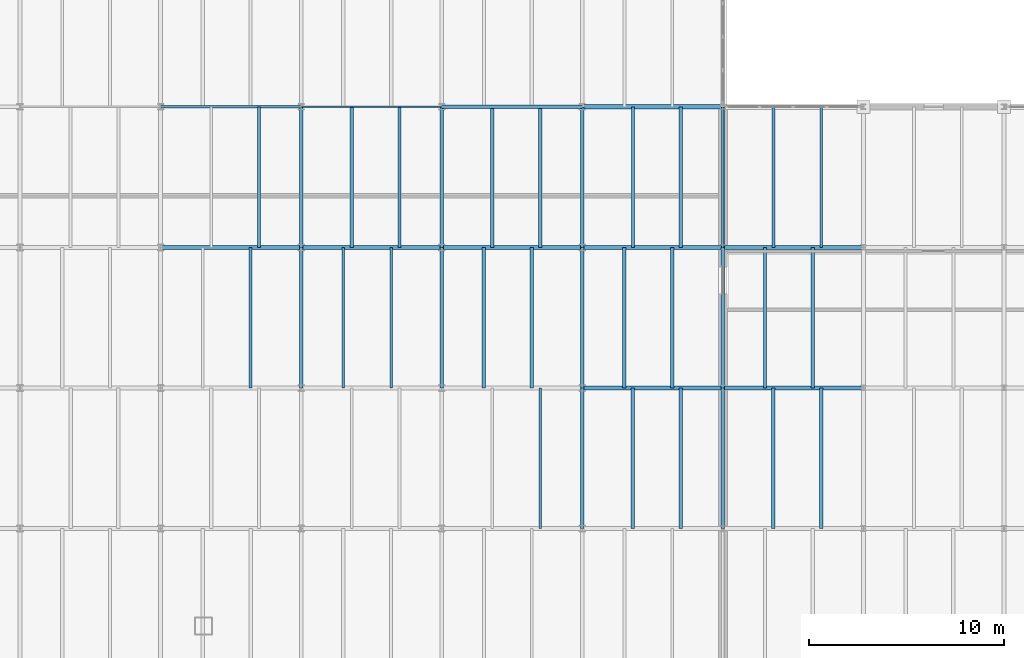
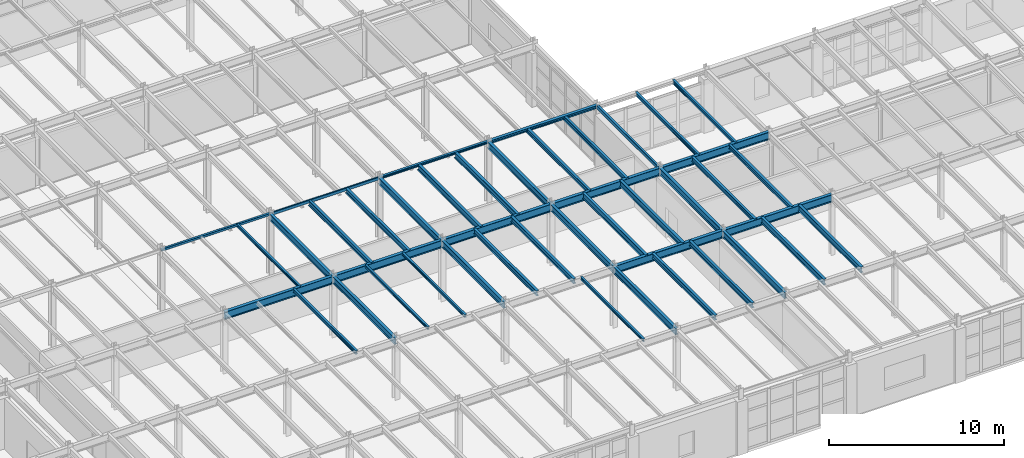
# One storey, part 30 of 137: 44 beams.
"""IFC4 building model written with IfcOpenShell, lengths in metres."""

from ifc_helpers import new_model, si_unit, direction, frame, origin, origin_2d, place, context, subcontext, project, spatial, hollow_rectangle, i_section, extrude, material, material_profile, profile_set, type_object, element, save


model = new_model("IFC4")

# Units and contexts
model_context = context("Model", 3, precision=1e-05, world=origin(), true_north=direction((0.0, 1.0)))
body_context = subcontext(model_context, "Body", "Model", "MODEL_VIEW")
ifc_project = project(units=[si_unit("LENGTHUNIT", "METRE"), si_unit("AREAUNIT", "SQUARE_METRE"), si_unit("VOLUMEUNIT", "CUBIC_METRE"), si_unit("PLANEANGLEUNIT", "RADIAN"), si_unit("MASSUNIT", "GRAM", prefix="KILO")], contexts=[model_context])

# Site, building, storey
site_placement = place(None, origin())
site = spatial("IfcSite", under=ifc_project, at=site_placement, CompositionType="ELEMENT")
building_placement = place(site_placement, origin())
building = spatial("IfcBuilding", under=site, at=building_placement, Name="Kemerveld Promenade Tramway Depot", CompositionType="ELEMENT")
storey_placement = place(building_placement, frame((0.0, 0.0, 5.39990234375)))
storey = spatial("IfcBuildingStorey", under=building, at=storey_placement, Name="L01", CompositionType="ELEMENT", Elevation=5.39990234375)

# Beams
ifc_material = material(Name="Steel S355", Category="steel")
ifc_material_profile_1 = material_profile(ifc_material, i_section(OverallWidth=0.2099609375, OverallDepth=0.53662109375, WebThickness=0.0107421875, FlangeThickness=0.017333984375, FilletRadius=0.0126953125, at=origin_2d()), Name="533x210x101 UB")
ifc_profile_set_1 = profile_set([ifc_material_profile_1], Name="Steel S355")
beam_type_1 = type_object("IfcBeamType", Name="BM-G05", PredefinedType="BEAM", material=ifc_profile_set_1)
beam_1_placement = place(storey_placement, frame((50.39990234375, 14.39990234375, 3.99169921875), z_axis=(1.0, 0.0, 0.0), x_axis=(0.0, 1.0, 0.0)))
element("IfcBeam", 1, at=beam_1_placement, inside=storey, type_object=beam_type_1, Name="BMX-L01-08-09-C", PredefinedType="BEAM", context=body_context, shape_type="SweptSolid", body=[
    extrude(i_section(OverallWidth=0.2099609375, OverallDepth=0.53662109375, WebThickness=0.0107421875, FlangeThickness=0.017333984375, FilletRadius=0.0126953125, at=origin_2d()), origin(), (0.0, 0.0, 1.0), 7.2001953125),
])
for number, where, z_axis, x_axis, name in (
    (2, (57.60009765625, 14.39990234375, 3.981689453125), (1.0, 0.0, 0.0), (0.0, 1.0, 0.0), "BMX-L01-09-10-C"),
    (3, (28.800048828125, 21.60009765625, 3.99169921875), (1.0, 0.0, 0.0), (0.0, 1.0, 0.0), "BMX-L01-05-06-D"),
    (4, (36.0, 21.60009765625, 3.99169921875), (1.0, 0.0, 0.0), (0.0, 1.0, 0.0), "BMX-L01-06-07-D"),
    (5, (43.199951171875, 21.60009765625, 3.99169921875), (1.0, 0.0, 0.0), (0.0, 1.0, 0.0), "BMX-L01-07-08-D"),
):
    element("IfcBeam", number, at=place(storey_placement, frame(where, z_axis=z_axis, x_axis=x_axis)), inside=storey, type_object=beam_type_1, Name=name, PredefinedType="BEAM", context=body_context, shape_type="SweptSolid", body=[
        extrude(i_section(OverallWidth=0.2099609375, OverallDepth=0.53662109375, WebThickness=0.0107421875, FlangeThickness=0.017333984375, FilletRadius=0.0126953125, at=origin_2d()), origin(), (0.0, 0.0, 1.0), 7.199951171875),
    ])
beam_2_placement = place(storey_placement, frame((50.39990234375, 21.60009765625, 3.99169921875), z_axis=(1.0, 0.0, 0.0), x_axis=(0.0, 1.0, 0.0)))
element("IfcBeam", 6, at=beam_2_placement, inside=storey, type_object=beam_type_1, Name="BMX-L01-08-09-D", PredefinedType="BEAM", context=body_context, shape_type="SweptSolid", body=[
    extrude(i_section(OverallWidth=0.2099609375, OverallDepth=0.53662109375, WebThickness=0.0107421875, FlangeThickness=0.017333984375, FilletRadius=0.0126953125, at=origin_2d()), origin(), (0.0, 0.0, 1.0), 7.2001953125),
])
beam_3_placement = place(storey_placement, frame((57.60009765625, 21.60009765625, 3.981689453125), z_axis=(1.0, 0.0, 0.0), x_axis=(0.0, 1.0, 0.0)))
element("IfcBeam", 7, at=beam_3_placement, inside=storey, type_object=beam_type_1, Name="BMX-L01-09-10-D", PredefinedType="BEAM", context=body_context, shape_type="SweptSolid", body=[
    extrude(i_section(OverallWidth=0.2099609375, OverallDepth=0.53662109375, WebThickness=0.0107421875, FlangeThickness=0.017333984375, FilletRadius=0.0126953125, at=origin_2d()), origin(), (0.0, 0.0, 1.0), 7.199951171875),
])
ifc_material_profile_2 = material_profile(ifc_material, i_section(OverallWidth=0.19140625, OverallDepth=0.4599609375, WebThickness=0.010009765625, FlangeThickness=0.01611328125, FilletRadius=0.01025390625, at=origin_2d()), Name="457x191x82 UB")
ifc_profile_set_2 = profile_set([ifc_material_profile_2], Name="Steel S355")
beam_type_2 = type_object("IfcBeamType", Name="BM-G06", PredefinedType="BEAM", material=ifc_profile_set_2)
beam_4_placement = place(storey_placement, frame((36.0, 14.39990234375, 4.030029296875), z_axis=(0.0, 1.0, 0.0), x_axis=(-1.0, 0.0, 0.0)))
element("IfcBeam", 8, at=beam_4_placement, inside=storey, type_object=beam_type_2, Name="BMY-L01-06-C-D", PredefinedType="BEAM", context=body_context, shape_type="SweptSolid", body=[
    extrude(i_section(OverallWidth=0.19140625, OverallDepth=0.4599609375, WebThickness=0.010009765625, FlangeThickness=0.01611328125, FilletRadius=0.01025390625, at=origin_2d()), origin(), (0.0, 0.0, 1.0), 7.2001953125),
])
beam_5_placement = place(storey_placement, frame((36.0, 21.60009765625, 4.030029296875), z_axis=(0.0, 1.0, 0.0), x_axis=(-1.0, 0.0, 0.0)))
element("IfcBeam", 9, at=beam_5_placement, inside=storey, type_object=beam_type_2, Name="BMY-L01-06-D-E", PredefinedType="BEAM", context=body_context, shape_type="SweptSolid", body=[
    extrude(i_section(OverallWidth=0.19140625, OverallDepth=0.4599609375, WebThickness=0.010009765625, FlangeThickness=0.01611328125, FilletRadius=0.01025390625, at=origin_2d()), origin(), (0.0, 0.0, 1.0), 7.199951171875),
])
beam_6_placement = place(storey_placement, frame((43.199951171875, 14.39990234375, 4.030029296875), z_axis=(0.0, 1.0, 0.0), x_axis=(-1.0, 0.0, 0.0)))
element("IfcBeam", 10, at=beam_6_placement, inside=storey, type_object=beam_type_2, Name="BMY-L01-07-C-D", PredefinedType="BEAM", context=body_context, shape_type="SweptSolid", body=[
    extrude(i_section(OverallWidth=0.19140625, OverallDepth=0.4599609375, WebThickness=0.010009765625, FlangeThickness=0.01611328125, FilletRadius=0.01025390625, at=origin_2d()), origin(), (0.0, 0.0, 1.0), 7.2001953125),
])
for number, where, z_axis, x_axis, name in (
    (11, (43.199951171875, 21.60009765625, 4.030029296875), (0.0, 1.0, 0.0), (-1.0, 0.0, 0.0), "BMY-L01-07-D-E"),
    (12, (50.39990234375, 7.199951171875, 4.030029296875), (0.0, 1.0, 0.0), (-1.0, 0.0, 0.0), "BMY-L01-08-B-C"),
):
    element("IfcBeam", number, at=place(storey_placement, frame(where, z_axis=z_axis, x_axis=x_axis)), inside=storey, type_object=beam_type_2, Name=name, PredefinedType="BEAM", context=body_context, shape_type="SweptSolid", body=[
        extrude(i_section(OverallWidth=0.19140625, OverallDepth=0.4599609375, WebThickness=0.010009765625, FlangeThickness=0.01611328125, FilletRadius=0.01025390625, at=origin_2d()), origin(), (0.0, 0.0, 1.0), 7.199951171875),
    ])
beam_7_placement = place(storey_placement, frame((50.39990234375, 14.39990234375, 4.030029296875), z_axis=(0.0, 1.0, 0.0), x_axis=(-1.0, 0.0, 0.0)))
element("IfcBeam", 13, at=beam_7_placement, inside=storey, type_object=beam_type_2, Name="BMY-L01-08-C-D", PredefinedType="BEAM", context=body_context, shape_type="SweptSolid", body=[
    extrude(i_section(OverallWidth=0.19140625, OverallDepth=0.4599609375, WebThickness=0.010009765625, FlangeThickness=0.01611328125, FilletRadius=0.01025390625, at=origin_2d()), origin(), (0.0, 0.0, 1.0), 7.2001953125),
])
for number, where, z_axis, x_axis, name in (
    (14, (50.39990234375, 21.60009765625, 4.030029296875), (0.0, 1.0, 0.0), (-1.0, 0.0, 0.0), "BMY-L01-08-D-E"),
    (15, (57.60009765625, 7.199951171875, 4.030029296875), (0.0, 1.0, 0.0), (-1.0, 0.0, 0.0), "BMY-L01-09-B-C"),
):
    element("IfcBeam", number, at=place(storey_placement, frame(where, z_axis=z_axis, x_axis=x_axis)), inside=storey, type_object=beam_type_2, Name=name, PredefinedType="BEAM", context=body_context, shape_type="SweptSolid", body=[
        extrude(i_section(OverallWidth=0.19140625, OverallDepth=0.4599609375, WebThickness=0.010009765625, FlangeThickness=0.01611328125, FilletRadius=0.01025390625, at=origin_2d()), origin(), (0.0, 0.0, 1.0), 7.199951171875),
    ])
beam_8_placement = place(storey_placement, frame((57.60009765625, 14.39990234375, 4.030029296875), z_axis=(0.0, 1.0, 0.0), x_axis=(-1.0, 0.0, 0.0)))
element("IfcBeam", 16, at=beam_8_placement, inside=storey, type_object=beam_type_2, Name="BMY-L01-09-C-D", PredefinedType="BEAM", context=body_context, shape_type="SweptSolid", body=[
    extrude(i_section(OverallWidth=0.19140625, OverallDepth=0.4599609375, WebThickness=0.010009765625, FlangeThickness=0.01611328125, FilletRadius=0.01025390625, at=origin_2d()), origin(), (0.0, 0.0, 1.0), 7.2001953125),
])
ifc_material_profile_3 = material_profile(ifc_material, i_section(OverallWidth=0.165771484375, OverallDepth=0.306640625, WebThickness=0.006591796875, FlangeThickness=0.01171875, FilletRadius=0.0087890625, at=origin_2d()), Name="305x165x46 UB")
ifc_profile_set_3 = profile_set([ifc_material_profile_3], Name="Steel S355")
beam_type_3 = type_object("IfcBeamType", Name="BM-J01", PredefinedType="JOIST", material=ifc_profile_set_3)
for number, where, z_axis, x_axis, name in (
    (17, (52.991943359375, 21.60009765625, 4.106689453125), (0.0, 1.0, 0.0), (-1.0, 0.0, 0.0), "JST-L01-08-D-1"),
    (18, (55.43994140625, 21.60009765625, 4.106689453125), (0.0, 1.0, 0.0), (-1.0, 0.0, 0.0), "JST-L01-08-D-2"),
):
    element("IfcBeam", number, at=place(storey_placement, frame(where, z_axis=z_axis, x_axis=x_axis)), inside=storey, type_object=beam_type_3, Name=name, PredefinedType="JOIST", context=body_context, shape_type="SweptSolid", body=[
        extrude(i_section(OverallWidth=0.165771484375, OverallDepth=0.306640625, WebThickness=0.006591796875, FlangeThickness=0.01171875, FilletRadius=0.0087890625, at=origin_2d()), origin(), (0.0, 0.0, 1.0), 7.199951171875),
    ])
for number, where, z_axis, x_axis, name in (
    (19, (59.760009765625, 14.39990234375, 4.0966796875), (0.0, 1.0, 0.0), (-1.0, 0.0, 0.0), "JST-L01-09-C-1"),
    (20, (62.2080078125, 14.39990234375, 4.0966796875), (0.0, 1.0, 0.0), (-1.0, 0.0, 0.0), "JST-L01-09-C-2"),
):
    element("IfcBeam", number, at=place(storey_placement, frame(where, z_axis=z_axis, x_axis=x_axis)), inside=storey, type_object=beam_type_3, Name=name, PredefinedType="JOIST", context=body_context, shape_type="SweptSolid", body=[
        extrude(i_section(OverallWidth=0.165771484375, OverallDepth=0.306640625, WebThickness=0.006591796875, FlangeThickness=0.01171875, FilletRadius=0.0087890625, at=origin_2d()), origin(), (0.0, 0.0, 1.0), 7.2001953125),
    ])
ifc_material_profile_4 = material_profile(ifc_material, i_section(OverallWidth=0.146484375, OverallDepth=0.256103515625, WebThickness=0.00634765625, FlangeThickness=0.010986328125, FilletRadius=0.007568359375, at=origin_2d()), Name="254x146x37 UB")
ifc_profile_set_4 = profile_set([ifc_material_profile_4], Name="Steel S355")
beam_type_4 = type_object("IfcBeamType", Name="BM-J02", PredefinedType="JOIST", material=ifc_profile_set_4)
beam_9_placement = place(storey_placement, frame((33.407958984375, 14.39990234375, 4.132080078125), z_axis=(0.0, 1.0, 0.0), x_axis=(-1.0, 0.0, 0.0)))
element("IfcBeam", 21, at=beam_9_placement, inside=storey, type_object=beam_type_4, Name="JST-L01-05-C-2", PredefinedType="JOIST", context=body_context, shape_type="SweptSolid", body=[
    extrude(i_section(OverallWidth=0.146484375, OverallDepth=0.256103515625, WebThickness=0.00634765625, FlangeThickness=0.010986328125, FilletRadius=0.007568359375, at=origin_2d()), origin(), (0.0, 0.0, 1.0), 7.2001953125),
])
for number, where, z_axis, x_axis, name in (
    (22, (60.19189453125, 21.60009765625, 4.1220703125), (0.0, 1.0, 0.0), (-1.0, 0.0, 0.0), "JST-L01-09-D-1"),
    (23, (62.639892578125, 21.60009765625, 4.1220703125), (0.0, 1.0, 0.0), (-1.0, 0.0, 0.0), "JST-L01-09-D-2"),
):
    element("IfcBeam", number, at=place(storey_placement, frame(where, z_axis=z_axis, x_axis=x_axis)), inside=storey, type_object=beam_type_4, Name=name, PredefinedType="JOIST", context=body_context, shape_type="SweptSolid", body=[
        extrude(i_section(OverallWidth=0.146484375, OverallDepth=0.256103515625, WebThickness=0.00634765625, FlangeThickness=0.010986328125, FilletRadius=0.007568359375, at=origin_2d()), origin(), (0.0, 0.0, 1.0), 7.199951171875),
    ])
ifc_material_profile_5 = material_profile(ifc_material, i_section(OverallWidth=0.13330078125, OverallDepth=0.203125, WebThickness=0.005615234375, FlangeThickness=0.0078125, FilletRadius=0.007568359375, at=origin_2d()), Name="203x133x25 UB")
ifc_profile_set_5 = profile_set([ifc_material_profile_5], Name="Steel S355")
beam_type_5 = type_object("IfcBeamType", Name="BM-J03", PredefinedType="JOIST", material=ifc_profile_set_5)
beam_10_placement = place(storey_placement, frame((33.840087890625, 21.60009765625, 4.158447265625), z_axis=(0.0, 1.0, 0.0), x_axis=(-1.0, 0.0, 0.0)))
element("IfcBeam", 24, at=beam_10_placement, inside=storey, type_object=beam_type_5, Name="JST-L01-05-D-2", PredefinedType="JOIST", context=body_context, shape_type="SweptSolid", body=[
    extrude(i_section(OverallWidth=0.13330078125, OverallDepth=0.203125, WebThickness=0.005615234375, FlangeThickness=0.0078125, FilletRadius=0.007568359375, at=origin_2d()), origin(), (0.0, 0.0, 1.0), 7.199951171875),
])
for number, where, z_axis, x_axis, name in (
    (25, (38.159912109375, 14.39990234375, 4.158447265625), (0.0, 1.0, 0.0), (-1.0, 0.0, 0.0), "JST-L01-06-C-1"),
    (26, (40.60791015625, 14.39990234375, 4.158447265625), (0.0, 1.0, 0.0), (-1.0, 0.0, 0.0), "JST-L01-06-C-2"),
):
    element("IfcBeam", number, at=place(storey_placement, frame(where, z_axis=z_axis, x_axis=x_axis)), inside=storey, type_object=beam_type_5, Name=name, PredefinedType="JOIST", context=body_context, shape_type="SweptSolid", body=[
        extrude(i_section(OverallWidth=0.13330078125, OverallDepth=0.203125, WebThickness=0.005615234375, FlangeThickness=0.0078125, FilletRadius=0.007568359375, at=origin_2d()), origin(), (0.0, 0.0, 1.0), 7.2001953125),
    ])
beam_11_placement = place(storey_placement, frame((48.239990234375, 7.199951171875, 4.158447265625), z_axis=(0.0, 1.0, 0.0), x_axis=(-1.0, 0.0, 0.0)))
element("IfcBeam", 27, at=beam_11_placement, inside=storey, type_object=beam_type_5, Name="JST-L01-07-B-2", PredefinedType="JOIST", context=body_context, shape_type="SweptSolid", body=[
    extrude(i_section(OverallWidth=0.13330078125, OverallDepth=0.203125, WebThickness=0.005615234375, FlangeThickness=0.0078125, FilletRadius=0.007568359375, at=origin_2d()), origin(), (0.0, 0.0, 1.0), 7.199951171875),
])
ifc_material_profile_6 = material_profile(ifc_material, i_section(OverallWidth=0.172119140625, OverallDepth=0.35791015625, WebThickness=0.008056640625, FlangeThickness=0.012939453125, FilletRadius=0.01025390625, at=origin_2d()), Name="356x171x57 UB")
ifc_profile_set_6 = profile_set([ifc_material_profile_6], Name="Steel S355")
beam_type_6 = type_object("IfcBeamType", Name="BM-J04", PredefinedType="JOIST", material=ifc_profile_set_6)
for number, where, z_axis, x_axis, name in (
    (28, (38.592041015625, 21.60009765625, 4.0810546875), (0.0, 1.0, 0.0), (-1.0, 0.0, 0.0), "JST-L01-06-D-1"),
    (29, (41.0400390625, 21.60009765625, 4.0810546875), (0.0, 1.0, 0.0), (-1.0, 0.0, 0.0), "JST-L01-06-D-2"),
):
    element("IfcBeam", number, at=place(storey_placement, frame(where, z_axis=z_axis, x_axis=x_axis)), inside=storey, type_object=beam_type_6, Name=name, PredefinedType="JOIST", context=body_context, shape_type="SweptSolid", body=[
        extrude(i_section(OverallWidth=0.172119140625, OverallDepth=0.35791015625, WebThickness=0.008056640625, FlangeThickness=0.012939453125, FilletRadius=0.01025390625, at=origin_2d()), origin(), (0.0, 0.0, 1.0), 7.199951171875),
    ])
for number, where, z_axis, x_axis, name in (
    (30, (45.360107421875, 14.39990234375, 4.0810546875), (0.0, 1.0, 0.0), (-1.0, 0.0, 0.0), "JST-L01-07-C-1"),
    (31, (47.80810546875, 14.39990234375, 4.0810546875), (0.0, 1.0, 0.0), (-1.0, 0.0, 0.0), "JST-L01-07-C-2"),
):
    element("IfcBeam", number, at=place(storey_placement, frame(where, z_axis=z_axis, x_axis=x_axis)), inside=storey, type_object=beam_type_6, Name=name, PredefinedType="JOIST", context=body_context, shape_type="SweptSolid", body=[
        extrude(i_section(OverallWidth=0.172119140625, OverallDepth=0.35791015625, WebThickness=0.008056640625, FlangeThickness=0.012939453125, FilletRadius=0.01025390625, at=origin_2d()), origin(), (0.0, 0.0, 1.0), 7.2001953125),
    ])
for number, where, z_axis, x_axis, name in (
    (32, (52.991943359375, 7.199951171875, 4.0810546875), (0.0, 1.0, 0.0), (-1.0, 0.0, 0.0), "JST-L01-08-B-1"),
    (33, (55.43994140625, 7.199951171875, 4.0810546875), (0.0, 1.0, 0.0), (-1.0, 0.0, 0.0), "JST-L01-08-B-2"),
):
    element("IfcBeam", number, at=place(storey_placement, frame(where, z_axis=z_axis, x_axis=x_axis)), inside=storey, type_object=beam_type_6, Name=name, PredefinedType="JOIST", context=body_context, shape_type="SweptSolid", body=[
        extrude(i_section(OverallWidth=0.172119140625, OverallDepth=0.35791015625, WebThickness=0.008056640625, FlangeThickness=0.012939453125, FilletRadius=0.01025390625, at=origin_2d()), origin(), (0.0, 0.0, 1.0), 7.199951171875),
    ])
ifc_material_profile_7 = material_profile(ifc_material, i_section(OverallWidth=0.1787109375, OverallDepth=0.409423828125, WebThickness=0.0087890625, FlangeThickness=0.014404296875, FilletRadius=0.01025390625, at=origin_2d()), Name="406x178x67 UB")
ifc_profile_set_7 = profile_set([ifc_material_profile_7], Name="Steel S355")
beam_type_7 = type_object("IfcBeamType", Name="BM-J05", PredefinedType="JOIST", material=ifc_profile_set_7)
for number, where, z_axis, x_axis, name in (
    (34, (45.7919921875, 21.60009765625, 4.055419921875), (0.0, 1.0, 0.0), (-1.0, 0.0, 0.0), "JST-L01-07-D-1"),
    (35, (48.239990234375, 21.60009765625, 4.055419921875), (0.0, 1.0, 0.0), (-1.0, 0.0, 0.0), "JST-L01-07-D-2"),
):
    element("IfcBeam", number, at=place(storey_placement, frame(where, z_axis=z_axis, x_axis=x_axis)), inside=storey, type_object=beam_type_7, Name=name, PredefinedType="JOIST", context=body_context, shape_type="SweptSolid", body=[
        extrude(i_section(OverallWidth=0.1787109375, OverallDepth=0.409423828125, WebThickness=0.0087890625, FlangeThickness=0.014404296875, FilletRadius=0.01025390625, at=origin_2d()), origin(), (0.0, 0.0, 1.0), 7.199951171875),
    ])
for number, where, z_axis, x_axis, name in (
    (36, (52.56005859375, 14.39990234375, 4.055419921875), (0.0, 1.0, 0.0), (-1.0, 0.0, 0.0), "JST-L01-08-C-1"),
    (37, (55.008056640625, 14.39990234375, 4.055419921875), (0.0, 1.0, 0.0), (-1.0, 0.0, 0.0), "JST-L01-08-C-2"),
):
    element("IfcBeam", number, at=place(storey_placement, frame(where, z_axis=z_axis, x_axis=x_axis)), inside=storey, type_object=beam_type_7, Name=name, PredefinedType="JOIST", context=body_context, shape_type="SweptSolid", body=[
        extrude(i_section(OverallWidth=0.1787109375, OverallDepth=0.409423828125, WebThickness=0.0087890625, FlangeThickness=0.014404296875, FilletRadius=0.01025390625, at=origin_2d()), origin(), (0.0, 0.0, 1.0), 7.2001953125),
    ])
for number, where, z_axis, x_axis, name in (
    (38, (60.19189453125, 7.199951171875, 4.04541015625), (0.0, 1.0, 0.0), (-1.0, 0.0, 0.0), "JST-L01-09-B-1"),
    (39, (62.639892578125, 7.199951171875, 4.04541015625), (0.0, 1.0, 0.0), (-1.0, 0.0, 0.0), "JST-L01-09-B-2"),
):
    element("IfcBeam", number, at=place(storey_placement, frame(where, z_axis=z_axis, x_axis=x_axis)), inside=storey, type_object=beam_type_7, Name=name, PredefinedType="JOIST", context=body_context, shape_type="SweptSolid", body=[
        extrude(i_section(OverallWidth=0.1787109375, OverallDepth=0.409423828125, WebThickness=0.0087890625, FlangeThickness=0.014404296875, FilletRadius=0.01025390625, at=origin_2d()), origin(), (0.0, 0.0, 1.0), 7.199951171875),
    ])
ifc_material_profile_8 = material_profile(ifc_material, hollow_rectangle(XDim=0.10009765625, YDim=0.199951171875, WallThickness=0.008056640625, InnerFilletRadius=0.00390625, OuterFilletRadius=0.011962890625, at=origin_2d()), Name="200x100x8.0 RHS")
ifc_profile_set_8 = profile_set([ifc_material_profile_8], Name="Steel S355")
beam_type_8 = type_object("IfcBeamType", Name="BM-LN1", PredefinedType="LINTEL", material=ifc_profile_set_8)
beam_12_placement = place(storey_placement, frame((36.0, 28.800048828125, 4.16015625), z_axis=(1.0, 0.0, 0.0), x_axis=(0.0, 1.0, 0.0)))
element("IfcBeam", 40, at=beam_12_placement, inside=storey, type_object=beam_type_8, Name="BMX-L01-06-07-E", PredefinedType="LINTEL", context=body_context, shape_type="SweptSolid", body=[
    extrude(hollow_rectangle(XDim=0.10009765625, YDim=0.199951171875, WallThickness=0.008056640625, InnerFilletRadius=0.00390625, OuterFilletRadius=0.011962890625, at=origin_2d()), origin(), (0.0, 0.0, 1.0), 7.199951171875),
])
ifc_material_profile_9 = material_profile(ifc_material, i_section(OverallWidth=0.154296875, OverallDepth=0.161865234375, WebThickness=0.008056640625, FlangeThickness=0.011474609375, FilletRadius=0.007568359375, at=origin_2d()), Name="152x152x37 UC")
ifc_profile_set_9 = profile_set([ifc_material_profile_9], Name="Steel S355")
beam_type_9 = type_object("IfcBeamType", Name="BM-LN2", PredefinedType="LINTEL", material=ifc_profile_set_9)
beam_13_placement = place(storey_placement, frame((43.199951171875, 28.800048828125, 4.17919921875), z_axis=(1.0, 0.0, 0.0), x_axis=(0.0, 1.0, 0.0)))
element("IfcBeam", 41, at=beam_13_placement, inside=storey, type_object=beam_type_9, Name="BMX-L01-07-08-E", PredefinedType="LINTEL", context=body_context, shape_type="SweptSolid", body=[
    extrude(i_section(OverallWidth=0.154296875, OverallDepth=0.161865234375, WebThickness=0.008056640625, FlangeThickness=0.011474609375, FilletRadius=0.007568359375, at=origin_2d()), origin(), (0.0, 0.0, 1.0), 7.199951171875),
])
ifc_material_profile_10 = material_profile(ifc_material, i_section(OverallWidth=0.205810546875, OverallDepth=0.209716796875, WebThickness=0.009521484375, FlangeThickness=0.01416015625, FilletRadius=0.01025390625, at=origin_2d()), Name="203x203x60 UC")
ifc_profile_set_10 = profile_set([ifc_material_profile_10], Name="Steel S355")
beam_type_10 = type_object("IfcBeamType", Name="BM-LN3", PredefinedType="LINTEL", material=ifc_profile_set_10)
beam_14_placement = place(storey_placement, frame((50.39990234375, 28.800048828125, 4.1552734375), z_axis=(1.0, 0.0, 0.0), x_axis=(0.0, 1.0, 0.0)))
element("IfcBeam", 42, at=beam_14_placement, inside=storey, type_object=beam_type_10, Name="BMX-L01-08-09-E", PredefinedType="LINTEL", context=body_context, shape_type="SweptSolid", body=[
    extrude(i_section(OverallWidth=0.205810546875, OverallDepth=0.209716796875, WebThickness=0.009521484375, FlangeThickness=0.01416015625, FilletRadius=0.01025390625, at=origin_2d()), origin(), (0.0, 0.0, 1.0), 7.2001953125),
])
ifc_material_profile_11 = material_profile(ifc_material, hollow_rectangle(XDim=0.14990234375, YDim=0.25, WallThickness=0.010009765625, InnerFilletRadius=0.0048828125, OuterFilletRadius=0.014892578125, at=origin_2d()), Name="250x150x10.0 RHS")
ifc_profile_set_11 = profile_set([ifc_material_profile_11], Name="Steel S355")
beam_type_11 = type_object("IfcBeamType", Name="BM-SP2", PredefinedType="SPANDREL", material=ifc_profile_set_11)
beam_15_placement = place(storey_placement, frame((57.60009765625, 21.60009765625, 4.135009765625), z_axis=(0.0, 1.0, 0.0), x_axis=(-1.0, 0.0, 0.0)))
element("IfcBeam", 43, at=beam_15_placement, inside=storey, type_object=beam_type_11, Name="BMY-L01-09-D-E", PredefinedType="SPANDREL", context=body_context, shape_type="SweptSolid", body=[
    extrude(hollow_rectangle(XDim=0.14990234375, YDim=0.25, WallThickness=0.010009765625, InnerFilletRadius=0.0048828125, OuterFilletRadius=0.014892578125, at=origin_2d()), origin(), (0.0, 0.0, 1.0), 7.199951171875),
])
ifc_material_profile_12 = material_profile(ifc_material, hollow_rectangle(XDim=0.14990234375, YDim=0.14990234375, WallThickness=0.008056640625, InnerFilletRadius=0.00390625, OuterFilletRadius=0.011962890625, at=origin_2d()), Name="150x150x8.0 SHS")
ifc_profile_set_12 = profile_set([ifc_material_profile_12], Name="Steel S355")
beam_type_12 = type_object("IfcBeamType", Name="BM-SP4", PredefinedType="SPANDREL", material=ifc_profile_set_12)
beam_16_placement = place(storey_placement, frame((28.800048828125, 28.800048828125, 4.18505859375), z_axis=(1.0, 0.0, 0.0), x_axis=(0.0, 1.0, 0.0)))
element("IfcBeam", 44, at=beam_16_placement, inside=storey, type_object=beam_type_12, Name="BMX-L01-05-06-E", PredefinedType="SPANDREL", context=body_context, shape_type="SweptSolid", body=[
    extrude(hollow_rectangle(XDim=0.14990234375, YDim=0.14990234375, WallThickness=0.008056640625, InnerFilletRadius=0.00390625, OuterFilletRadius=0.011962890625, at=origin_2d()), origin(), (0.0, 0.0, 1.0), 7.199951171875),
])

save(model, "model.ifc")
